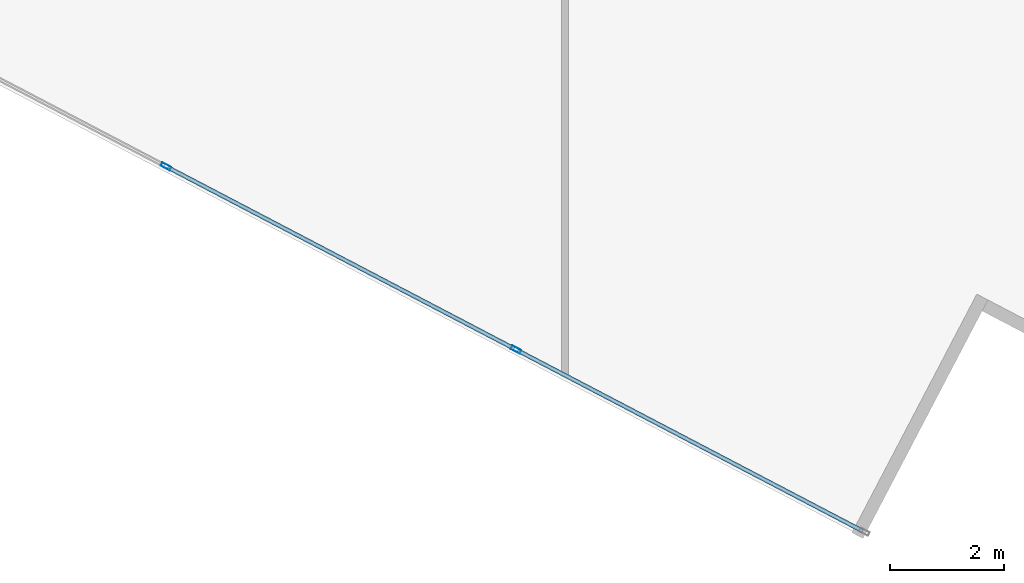
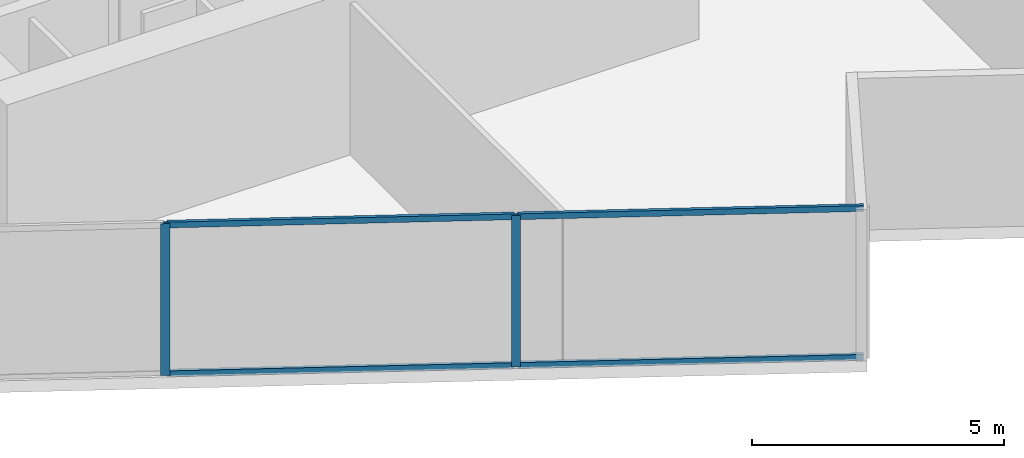
# One storey, part 3 of 27: 6 members, 1 element without a shape of its own.
"""IFC4 building model written with IfcOpenShell, lengths in metres."""

from ifc_helpers import new_model, si_unit, direction, frame, origin, origin_2d, place, context, subcontext, project, spatial, hollow_rectangle, extrude, source, transform, mapped, material, material_profile, profile_set, type_object, type_shapes, element, aggregate, save


model = new_model("IFC4")

# Units and contexts
model_context = context("Model", 3, precision=1e-05, world=origin(), true_north=direction((0.0, 1.0)))
body_context = subcontext(model_context, "Body", "Model", "MODEL_VIEW")
ifc_project = project(units=[si_unit("LENGTHUNIT", "METRE"), si_unit("AREAUNIT", "SQUARE_METRE"), si_unit("VOLUMEUNIT", "CUBIC_METRE"), si_unit("PLANEANGLEUNIT", "RADIAN"), si_unit("MASSUNIT", "GRAM", prefix="KILO")], contexts=[model_context])

# Site, building, storey
site_placement = place(None, origin())
site = spatial("IfcSite", under=ifc_project, at=site_placement, CompositionType="ELEMENT")
building_placement = place(site_placement, origin())
building = spatial("IfcBuilding", under=site, at=building_placement, Name="Krantzveldt Concourse Tower", CompositionType="ELEMENT")
storey_placement = place(building_placement, frame((0.0, 0.0, 154.10009765625)))
storey = spatial("IfcBuildingStorey", under=building, at=storey_placement, Name="L37", CompositionType="ELEMENT", Elevation=154.10009765625)

# Curtain wall, members
ifc_material = material(Name="Anodised aluminium 6063-T6", Category="aluminium")
curtain_wall_type = type_object("IfcCurtainWallType", Name="CW3", PredefinedType="USERDEFINED", material=ifc_material)
curtain_wall_placement = place(storey_placement, origin())
curtain_wall = element("IfcCurtainWall", 1, at=curtain_wall_placement, inside=storey, type_object=curtain_wall_type, Name="CW-L37-F04", ObjectType="UNITISED CURTAIN WALL", PredefinedType="USERDEFINED")
ifc_material_profile_1 = material_profile(ifc_material, hollow_rectangle(XDim=0.070068359375, YDim=0.179931640625, WallThickness=0.0048828125, at=origin_2d()), Name="Anodised aluminium 6063-T6", Category="aluminium")
ifc_profile_set_1 = profile_set([ifc_material_profile_1], Name="Anodised aluminium 6063-T6 - ALU-MULL 180x70x5")
member_type_1 = type_object("IfcMemberType", Name="CW-MUL-180", PredefinedType="MULLION", material=ifc_profile_set_1)
shared_shape_1 = source(origin(), body_context, "Body", "SweptSolid", [
    extrude(hollow_rectangle(XDim=0.070068359375, YDim=0.179931640625, WallThickness=0.0048828125, at=origin_2d()), origin(), (0.0, 0.0, 1.0), 3.669921875),
])
type_shapes(member_type_1, [shared_shape_1])
member_1_placement = place(storey_placement, frame((28.970458984375, 5.7626953125, 0.0), z_axis=(0.0, 0.0, 1.0), x_axis=(0.463682819502, 0.886001265743, 0.0)))
member_1 = element("IfcMember", 2, at=member_1_placement, type_object=member_type_1, Name="CW-Z34 mullion 4", PredefinedType="MULLION", context=body_context, shape_type="MappedRepresentation", body=[
    mapped(shared_shape_1, transform((0.0, 0.0, 0.0), x_axis=(1.0, 0.0, 0.0), y_axis=(0.0, 1.0, 0.0), z_axis=(0.0, 0.0, 1.0), scale=1.0)),
])
member_2_placement = place(storey_placement, frame((35.136962890625, 2.535400390625, 0.0), z_axis=(0.0, 0.0, 1.0), x_axis=(0.463682819502, 0.886001265743, 0.0)))
member_2 = element("IfcMember", 3, at=member_2_placement, type_object=member_type_1, Name="CW-Z34 mullion 5", PredefinedType="MULLION", context=body_context, shape_type="MappedRepresentation", body=[
    mapped(shared_shape_1, transform((0.0, 0.0, 0.0), x_axis=(1.0, 0.0, 0.0), y_axis=(0.0, 1.0, 0.0), z_axis=(0.0, 0.0, 1.0), scale=1.0)),
])
ifc_material_profile_2 = material_profile(ifc_material, hollow_rectangle(XDim=0.070068359375, YDim=0.139892578125, WallThickness=0.0048828125, at=origin_2d()), Name="Anodised aluminium 6063-T6", Category="aluminium")
ifc_profile_set_2 = profile_set([ifc_material_profile_2], Name="Anodised aluminium 6063-T6 - ALU-TRAN 140x70x5")
member_type_2 = type_object("IfcMemberType", Name="CW-TRN-150", PredefinedType="USERDEFINED", material=ifc_profile_set_2)
shared_shape_2 = source(origin(), body_context, "Body", "SweptSolid", [
    extrude(hollow_rectangle(XDim=0.070068359375, YDim=0.139892578125, WallThickness=0.0048828125, at=origin_2d()), origin(), (0.0, 0.0, 1.0), 6.85498046875),
])
member_3_placement = place(storey_placement, frame((35.16796875, 2.519287109375, 0.034912109375), z_axis=(0.885989722542, -0.463704875487, 0.0), x_axis=(0.463704875487, 0.885989722542, 0.0)))
member_3 = element("IfcMember", 4, at=member_3_placement, type_object=member_type_2, Name="CW-Z34 transom 5.1", ObjectType="TRANSOM", PredefinedType="USERDEFINED", context=body_context, shape_type="MappedRepresentation", body=[
    mapped(shared_shape_2, transform((0.0, 0.0, 0.0), x_axis=(1.0, 0.0, 0.0), y_axis=(0.0, 1.0, 0.0), z_axis=(0.0, 0.0, 1.0), scale=1.0)),
])
member_4_placement = place(storey_placement, frame((35.16796875, 2.519287109375, 3.635009765625), z_axis=(0.885989722542, -0.463704875487, 0.0), x_axis=(0.463704875487, 0.885989722542, 0.0)))
member_4 = element("IfcMember", 5, at=member_4_placement, type_object=member_type_2, Name="CW-Z34 transom 5.2", ObjectType="TRANSOM", PredefinedType="USERDEFINED", context=body_context, shape_type="MappedRepresentation", body=[
    mapped(shared_shape_2, transform((0.0, 0.0, 0.0), x_axis=(1.0, 0.0, 0.0), y_axis=(0.0, 1.0, 0.0), z_axis=(0.0, 0.0, 1.0), scale=1.0)),
])
shared_shape_3 = source(origin(), body_context, "Body", "SweptSolid", [
    extrude(hollow_rectangle(XDim=0.070068359375, YDim=0.139892578125, WallThickness=0.0048828125, at=origin_2d()), origin(), (0.0, 0.0, 1.0), 6.889892578125),
])
type_shapes(member_type_2, [shared_shape_2, shared_shape_3])
member_5_placement = place(storey_placement, frame((29.00146484375, 5.74658203125, 0.034912109375), z_axis=(0.885996544559, -0.46369184059, 0.0), x_axis=(0.46369184059, 0.885996544559, 0.0)))
member_5 = element("IfcMember", 6, at=member_5_placement, type_object=member_type_2, Name="CW-Z34 transom 4.1", ObjectType="TRANSOM", PredefinedType="USERDEFINED", context=body_context, shape_type="MappedRepresentation", body=[
    mapped(shared_shape_3, transform((0.0, 0.0, 0.0), x_axis=(1.0, 0.0, 0.0), y_axis=(0.0, 1.0, 0.0), z_axis=(0.0, 0.0, 1.0), scale=1.0)),
])
member_6_placement = place(storey_placement, frame((29.00146484375, 5.74658203125, 3.635009765625), z_axis=(0.885996544559, -0.46369184059, 0.0), x_axis=(0.46369184059, 0.885996544559, 0.0)))
member_6 = element("IfcMember", 7, at=member_6_placement, type_object=member_type_2, Name="CW-Z34 transom 4.2", ObjectType="TRANSOM", PredefinedType="USERDEFINED", context=body_context, shape_type="MappedRepresentation", body=[
    mapped(shared_shape_3, transform((0.0, 0.0, 0.0), x_axis=(1.0, 0.0, 0.0), y_axis=(0.0, 1.0, 0.0), z_axis=(0.0, 0.0, 1.0), scale=1.0)),
])
aggregate(curtain_wall, [member_1, member_2, member_5, member_6, member_3, member_4])

save(model, "model.ifc")
